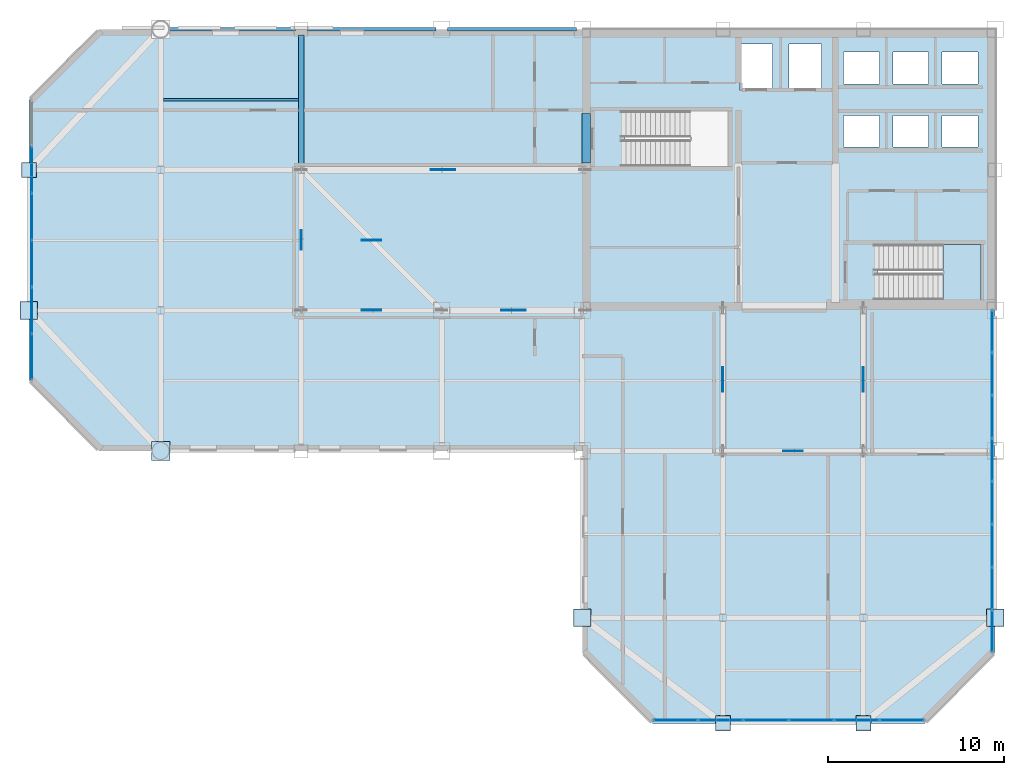
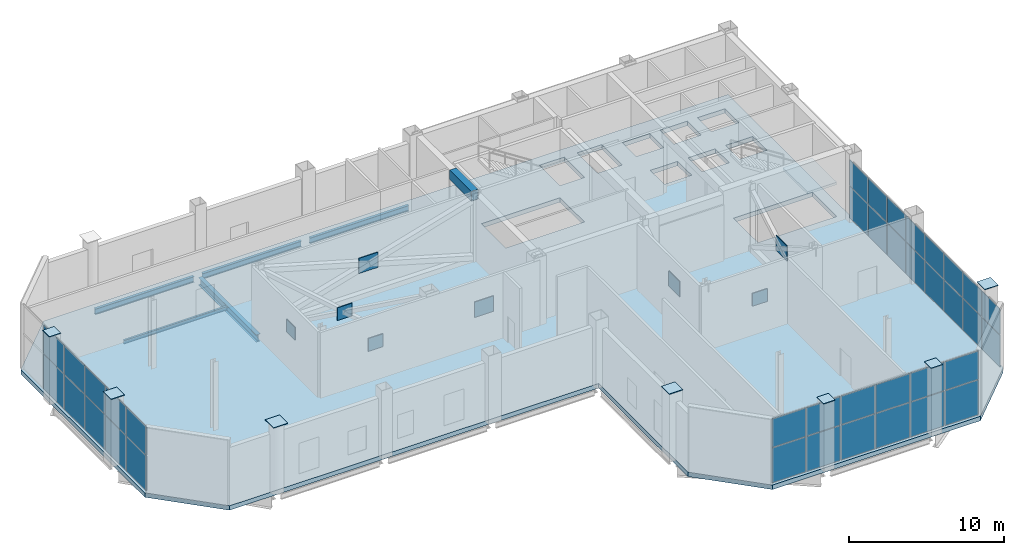
# One storey, part 16 of 23: 53 plates, 6 beams, 2 slabs, 4 elements without a shape of their own.
"""IFC4 building model written with IfcOpenShell, lengths in metres."""

from ifc_helpers import new_model, si_unit, direction, frame, origin, origin_2d, place, context, subcontext, project, spatial, polyline, rectangle, i_section, outline, extrude, material, layer, layer_set, material_profile, profile_set, type_object, element, aggregate, save


model = new_model("IFC4")

# Units and contexts
model_context = context("Model", 3, precision=1e-05, world=origin(), true_north=direction((0.0, 1.0)))
body_context = subcontext(model_context, "Body", "Model", "MODEL_VIEW")
ifc_project = project(units=[si_unit("LENGTHUNIT", "METRE"), si_unit("AREAUNIT", "SQUARE_METRE"), si_unit("VOLUMEUNIT", "CUBIC_METRE"), si_unit("PLANEANGLEUNIT", "RADIAN"), si_unit("MASSUNIT", "GRAM", prefix="KILO")], contexts=[model_context])

# Site, building, storey
site_placement = place(None, origin())
site = spatial("IfcSite", under=ifc_project, at=site_placement, CompositionType="ELEMENT")
building_placement = place(site_placement, origin())
building = spatial("IfcBuilding", under=site, at=building_placement, Name="Qianrong Seaharbour Tower", CompositionType="ELEMENT")
storey_placement = place(building_placement, frame((0.0, 0.0, 281.800048828125)))
storey = spatial("IfcBuildingStorey", under=building, at=storey_placement, Name="L68", CompositionType="ELEMENT", Elevation=281.800048828125)

# Beams
ifc_material_1 = material(Name="Structural steel SN490B", Category="steel")
ifc_material_profile_1 = material_profile(ifc_material_1, i_section(OverallWidth=0.300048828125, OverallDepth=0.587890625, WebThickness=0.011962890625, FlangeThickness=0.02001953125, FilletRadius=0.02392578125, at=origin_2d()), Name="H588x300x12x20")
ifc_profile_set_1 = profile_set([ifc_material_profile_1], Name="Structural steel SN490B")
beam_type_1 = type_object("IfcBeamType", Name="BM-G-588", PredefinedType="BEAM", material=ifc_profile_set_1)
beam_1_placement = place(storey_placement, frame((24.5, 44.199951171875, -0.64404296875), z_axis=(0.0, 1.0, 0.0), x_axis=(-1.0, 0.0, 0.0)))
element("IfcBeam", 1, at=beam_1_placement, inside=storey, type_object=beam_type_1, Name="L68 Primary Girder G4 GG-GH", PredefinedType="BEAM", context=body_context, shape_type="SweptSolid", body=[
    extrude(i_section(OverallWidth=0.300048828125, OverallDepth=0.587890625, WebThickness=0.011962890625, FlangeThickness=0.02001953125, FilletRadius=0.02392578125, at=origin_2d()), origin(), (0.0, 0.0, 1.0), 7.47998046875),
])
ifc_material_2 = material(Name="Structural steel SN400B", Category="steel")
ifc_material_profile_2 = material_profile(ifc_material_2, i_section(OverallWidth=0.14990234375, OverallDepth=0.300048828125, WebThickness=0.006591796875, FlangeThickness=0.009033203125, FilletRadius=0.012939453125, at=origin_2d()), Name="H300x150x6.5x9")
ifc_profile_set_2 = profile_set([ifc_material_profile_2], Name="Structural steel SN400B")
beam_type_2 = type_object("IfcBeamType", Name="BM-J-300", PredefinedType="JOIST", material=ifc_profile_set_2)
beam_2_placement = place(storey_placement, frame((16.64990234375, 48.0, -0.5), z_axis=(1.0, 0.0, 0.0), x_axis=(0.0, 1.0, 0.0)))
element("IfcBeam", 2, at=beam_2_placement, inside=storey, type_object=beam_type_2, Name="L68 Composite Floor Joist G3-G4/GG-GH", PredefinedType="JOIST", context=body_context, shape_type="SweptSolid", body=[
    extrude(i_section(OverallWidth=0.14990234375, OverallDepth=0.300048828125, WebThickness=0.006591796875, FlangeThickness=0.009033203125, FilletRadius=0.012939453125, at=origin_2d()), origin(), (0.0, 0.0, 1.0), 7.7001953125),
])
ifc_material_3 = material(Name="Concrete C60/75", Category="concrete")
ifc_material_profile_3 = material_profile(ifc_material_3, rectangle(XDim=0.5, YDim=0.75, at=origin_2d()), Name="RC500x750")
ifc_profile_set_3 = profile_set([ifc_material_profile_3], Name="Concrete C60/75")
beam_type_3 = type_object("IfcBeamType", Name="BM-LINTEL-750", PredefinedType="LINTEL", material=ifc_profile_set_3)
beam_3_placement = place(storey_placement, frame((40.72998046875, 44.39990234375, 4.81005859375), z_axis=(0.0, 1.0, 0.0), x_axis=(-1.0, 0.0, 0.0)))
element("IfcBeam", 3, at=beam_3_placement, inside=storey, type_object=beam_type_3, Name="L68 Core Coupling Lintel Beam West", PredefinedType="LINTEL", context=body_context, shape_type="SweptSolid", body=[
    extrude(rectangle(XDim=0.5, YDim=0.75, at=origin_2d()), origin(), (0.0, 0.0, 1.0), 2.800048828125),
])
ifc_material_profile_4 = material_profile(ifc_material_2, i_section(OverallWidth=0.199951171875, OverallDepth=0.449951171875, WebThickness=0.009033203125, FlangeThickness=0.013916015625, FilletRadius=0.01806640625, at=origin_2d()), Name="H450x200x9x14")
ifc_profile_set_4 = profile_set([ifc_material_profile_4], Name="Structural steel SN400B")
beam_type_4 = type_object("IfcBeamType", Name="BM-SP-450", PredefinedType="SPANDREL", material=ifc_profile_set_4)
for number, where, z_axis, x_axis, name in (
    (4, (16.820068359375, 52.0, -0.574951171875), (1.0, 0.0, 0.0), (0.0, 1.0, 0.0), "L68 Spandrel Girder GH G3-G4"),
    (5, (24.820068359375, 52.0, -0.574951171875), (1.0, 0.0, 0.0), (0.0, 1.0, 0.0), "L68 Spandrel Girder GH G4-G5"),
    (6, (32.820068359375, 52.0, -0.574951171875), (1.0, 0.0, 0.0), (0.0, 1.0, 0.0), "L68 Spandrel Girder GH G5-G6"),
):
    element("IfcBeam", number, at=place(storey_placement, frame(where, z_axis=z_axis, x_axis=x_axis)), inside=storey, type_object=beam_type_4, Name=name, PredefinedType="SPANDREL", context=body_context, shape_type="SweptSolid", body=[
        extrude(i_section(OverallWidth=0.199951171875, OverallDepth=0.449951171875, WebThickness=0.009033203125, FlangeThickness=0.013916015625, FilletRadius=0.01806640625, at=origin_2d()), origin(), (0.0, 0.0, 1.0), 7.35986328125),
    ])

# Curtain wall, plates
ifc_material_4 = material(Name="Anodised aluminium 6063-T6 and laminated low-e glass", Category="aluminium")
ifc_layer_1 = layer(ifc_material_4, 0.18505859375)
ifc_layer_set_1 = layer_set([ifc_layer_1], Name="Anodised aluminium 6063-T6 and laminated low-e glass")
curtain_wall_type = type_object("IfcCurtainWallType", Name="CW-SYS-4", PredefinedType="NOTDEFINED", material=ifc_layer_set_1)
curtain_wall_1_placement = place(storey_placement, origin())
curtain_wall_1 = element("IfcCurtainWall", 7, at=curtain_wall_1_placement, inside=storey, type_object=curtain_wall_type, Name="L68 Refuge Acoustic Louvre Curtain Wall WEST_TIP", PredefinedType="NOTDEFINED")
ifc_material_5 = material(Name="Anodised aluminium acoustic louvre cassette", Category="aluminium")
ifc_layer_2 = layer(ifc_material_5, 0.044921875)
ifc_layer_set_2 = layer_set([ifc_layer_2], Name="Anodised aluminium acoustic louvre cassette")
plate_type_1 = type_object("IfcPlateType", Name="CW-PAN-LOUVRE-45", PredefinedType="CURTAIN_PANEL", material=ifc_layer_set_2)
plate_1_placement = place(storey_placement, frame((9.169921875, 33.350830078125, 0.06494140625), z_axis=(0.0, 0.0, 1.0), x_axis=(0.0, 1.0, 0.0)))
plate_1 = element("IfcPlate", 8, at=plate_1_placement, type_object=plate_type_1, Name="CW-4 panel 1.1", PredefinedType="CURTAIN_PANEL", context=body_context, shape_type="SweptSolid", body=[
    extrude(rectangle(XDim=2.561767578125, YDim=0.044921875, at=origin_2d()), origin(), (0.0, 0.0, 1.0), 2.732421875),
])
plate_2_placement = place(storey_placement, frame((9.169921875, 33.350830078125, 2.8623046875), z_axis=(0.0, 0.0, 1.0), x_axis=(0.0, 1.0, 0.0)))
plate_2 = element("IfcPlate", 9, at=plate_2_placement, type_object=plate_type_1, Name="CW-4 panel 1.2", PredefinedType="CURTAIN_PANEL", context=body_context, shape_type="SweptSolid", body=[
    extrude(rectangle(XDim=2.561767578125, YDim=0.044921875, at=origin_2d()), origin(), (0.0, 0.0, 1.0), 2.2177734375),
])
plate_3_placement = place(storey_placement, frame((9.169921875, 36.0, 0.06494140625), z_axis=(0.0, 0.0, 1.0), x_axis=(0.0, 1.0, 0.0)))
plate_3 = element("IfcPlate", 10, at=plate_3_placement, type_object=plate_type_1, Name="CW-4 panel 2.1", PredefinedType="CURTAIN_PANEL", context=body_context, shape_type="SweptSolid", body=[
    extrude(rectangle(XDim=2.5966796875, YDim=0.044921875, at=origin_2d()), origin(), (0.0, 0.0, 1.0), 2.732421875),
])
plate_4_placement = place(storey_placement, frame((9.169921875, 36.0, 2.8623046875), z_axis=(0.0, 0.0, 1.0), x_axis=(0.0, 1.0, 0.0)))
plate_4 = element("IfcPlate", 11, at=plate_4_placement, type_object=plate_type_1, Name="CW-4 panel 2.2", PredefinedType="CURTAIN_PANEL", context=body_context, shape_type="SweptSolid", body=[
    extrude(rectangle(XDim=2.5966796875, YDim=0.044921875, at=origin_2d()), origin(), (0.0, 0.0, 1.0), 2.2177734375),
])
plate_5_placement = place(storey_placement, frame((9.169921875, 38.666748046875, 0.06494140625), z_axis=(0.0, 0.0, 1.0), x_axis=(0.0, 1.0, 0.0)))
plate_5 = element("IfcPlate", 12, at=plate_5_placement, type_object=plate_type_1, Name="CW-4 panel 3.1", PredefinedType="CURTAIN_PANEL", context=body_context, shape_type="SweptSolid", body=[
    extrude(rectangle(XDim=2.5966796875, YDim=0.044921875, at=origin_2d()), origin(), (0.0, 0.0, 1.0), 2.732421875),
])
plate_6_placement = place(storey_placement, frame((9.169921875, 38.666748046875, 2.8623046875), z_axis=(0.0, 0.0, 1.0), x_axis=(0.0, 1.0, 0.0)))
plate_6 = element("IfcPlate", 13, at=plate_6_placement, type_object=plate_type_1, Name="CW-4 panel 3.2", PredefinedType="CURTAIN_PANEL", context=body_context, shape_type="SweptSolid", body=[
    extrude(rectangle(XDim=2.5966796875, YDim=0.044921875, at=origin_2d()), origin(), (0.0, 0.0, 1.0), 2.2177734375),
])
plate_7_placement = place(storey_placement, frame((9.169921875, 41.333251953125, 0.06494140625), z_axis=(0.0, 0.0, 1.0), x_axis=(0.0, 1.0, 0.0)))
plate_7 = element("IfcPlate", 14, at=plate_7_placement, type_object=plate_type_1, Name="CW-4 panel 4.1", PredefinedType="CURTAIN_PANEL", context=body_context, shape_type="SweptSolid", body=[
    extrude(rectangle(XDim=2.5966796875, YDim=0.044921875, at=origin_2d()), origin(), (0.0, 0.0, 1.0), 2.732421875),
])
plate_8_placement = place(storey_placement, frame((9.169921875, 41.333251953125, 2.8623046875), z_axis=(0.0, 0.0, 1.0), x_axis=(0.0, 1.0, 0.0)))
plate_8 = element("IfcPlate", 15, at=plate_8_placement, type_object=plate_type_1, Name="CW-4 panel 4.2", PredefinedType="CURTAIN_PANEL", context=body_context, shape_type="SweptSolid", body=[
    extrude(rectangle(XDim=2.5966796875, YDim=0.044921875, at=origin_2d()), origin(), (0.0, 0.0, 1.0), 2.2177734375),
])
plate_9_placement = place(storey_placement, frame((9.169921875, 44.0, 0.06494140625), z_axis=(0.0, 0.0, 1.0), x_axis=(0.0, 1.0, 0.0)))
plate_9 = element("IfcPlate", 16, at=plate_9_placement, type_object=plate_type_1, Name="CW-4 panel 5.1", PredefinedType="CURTAIN_PANEL", context=body_context, shape_type="SweptSolid", body=[
    extrude(rectangle(XDim=2.5966796875, YDim=0.044921875, at=origin_2d()), origin(), (0.0, 0.0, 1.0), 2.732421875),
])
plate_10_placement = place(storey_placement, frame((9.169921875, 44.0, 2.8623046875), z_axis=(0.0, 0.0, 1.0), x_axis=(0.0, 1.0, 0.0)))
plate_10 = element("IfcPlate", 17, at=plate_10_placement, type_object=plate_type_1, Name="CW-4 panel 5.2", PredefinedType="CURTAIN_PANEL", context=body_context, shape_type="SweptSolid", body=[
    extrude(rectangle(XDim=2.5966796875, YDim=0.044921875, at=origin_2d()), origin(), (0.0, 0.0, 1.0), 2.2177734375),
])
aggregate(curtain_wall_1, [plate_1, plate_2, plate_3, plate_4, plate_5, plate_6, plate_7, plate_8, plate_9, plate_10])

curtain_wall_2_placement = place(storey_placement, origin())
curtain_wall_2 = element("IfcCurtainWall", 18, at=curtain_wall_2_placement, inside=storey, type_object=curtain_wall_type, Name="L68 Refuge Acoustic Louvre Curtain Wall EAST_WING", PredefinedType="NOTDEFINED")
plate_11_placement = place(storey_placement, frame((63.830078125, 34.810546875, 0.06494140625), z_axis=(0.0, 0.0, 1.0), x_axis=(0.0, -1.0, 0.0)))
plate_11 = element("IfcPlate", 19, at=plate_11_placement, type_object=plate_type_1, Name="CW-4 panel 1.1", PredefinedType="CURTAIN_PANEL", context=body_context, shape_type="SweptSolid", body=[
    extrude(rectangle(XDim=2.3388671875, YDim=0.044921875, at=origin_2d()), origin(), (0.0, 0.0, 1.0), 2.484619140625),
])
plate_12_placement = place(storey_placement, frame((63.830078125, 34.810546875, 2.61474609375), z_axis=(0.0, 0.0, 1.0), x_axis=(0.0, -1.0, 0.0)))
plate_12 = element("IfcPlate", 20, at=plate_12_placement, type_object=plate_type_1, Name="CW-4 panel 1.2", PredefinedType="CURTAIN_PANEL", context=body_context, shape_type="SweptSolid", body=[
    extrude(rectangle(XDim=2.3388671875, YDim=0.044921875, at=origin_2d()), origin(), (0.0, 0.0, 1.0), 2.015380859375),
])
plate_13_placement = place(storey_placement, frame((63.830078125, 32.38427734375, 0.06494140625), z_axis=(0.0, 0.0, 1.0), x_axis=(0.0, -1.0, 0.0)))
plate_13 = element("IfcPlate", 21, at=plate_13_placement, type_object=plate_type_1, Name="CW-4 panel 2.1", PredefinedType="CURTAIN_PANEL", context=body_context, shape_type="SweptSolid", body=[
    extrude(rectangle(XDim=2.373779296875, YDim=0.044921875, at=origin_2d()), origin(), (0.0, 0.0, 1.0), 2.484619140625),
])
plate_14_placement = place(storey_placement, frame((63.830078125, 32.38427734375, 2.61474609375), z_axis=(0.0, 0.0, 1.0), x_axis=(0.0, -1.0, 0.0)))
plate_14 = element("IfcPlate", 22, at=plate_14_placement, type_object=plate_type_1, Name="CW-4 panel 2.2", PredefinedType="CURTAIN_PANEL", context=body_context, shape_type="SweptSolid", body=[
    extrude(rectangle(XDim=2.373779296875, YDim=0.044921875, at=origin_2d()), origin(), (0.0, 0.0, 1.0), 2.015380859375),
])
plate_15_placement = place(storey_placement, frame((63.830078125, 29.940673828125, 0.06494140625), z_axis=(0.0, 0.0, 1.0), x_axis=(0.0, -1.0, 0.0)))
plate_15 = element("IfcPlate", 23, at=plate_15_placement, type_object=plate_type_1, Name="CW-4 panel 3.1", PredefinedType="CURTAIN_PANEL", context=body_context, shape_type="SweptSolid", body=[
    extrude(rectangle(XDim=2.373779296875, YDim=0.044921875, at=origin_2d()), origin(), (0.0, 0.0, 1.0), 2.484619140625),
])
plate_16_placement = place(storey_placement, frame((63.830078125, 29.940673828125, 2.61474609375), z_axis=(0.0, 0.0, 1.0), x_axis=(0.0, -1.0, 0.0)))
plate_16 = element("IfcPlate", 24, at=plate_16_placement, type_object=plate_type_1, Name="CW-4 panel 3.2", PredefinedType="CURTAIN_PANEL", context=body_context, shape_type="SweptSolid", body=[
    extrude(rectangle(XDim=2.373779296875, YDim=0.044921875, at=origin_2d()), origin(), (0.0, 0.0, 1.0), 2.015380859375),
])
plate_17_placement = place(storey_placement, frame((63.830078125, 27.496826171875, 0.06494140625), z_axis=(0.0, 0.0, 1.0), x_axis=(0.0, -1.0, 0.0)))
plate_17 = element("IfcPlate", 25, at=plate_17_placement, type_object=plate_type_1, Name="CW-4 panel 4.1", PredefinedType="CURTAIN_PANEL", context=body_context, shape_type="SweptSolid", body=[
    extrude(rectangle(XDim=2.373779296875, YDim=0.044921875, at=origin_2d()), origin(), (0.0, 0.0, 1.0), 2.484619140625),
])
plate_18_placement = place(storey_placement, frame((63.830078125, 27.496826171875, 2.61474609375), z_axis=(0.0, 0.0, 1.0), x_axis=(0.0, -1.0, 0.0)))
plate_18 = element("IfcPlate", 26, at=plate_18_placement, type_object=plate_type_1, Name="CW-4 panel 4.2", PredefinedType="CURTAIN_PANEL", context=body_context, shape_type="SweptSolid", body=[
    extrude(rectangle(XDim=2.373779296875, YDim=0.044921875, at=origin_2d()), origin(), (0.0, 0.0, 1.0), 2.015380859375),
])
plate_19_placement = place(storey_placement, frame((63.830078125, 25.05322265625, 0.06494140625), z_axis=(0.0, 0.0, 1.0), x_axis=(0.0, -1.0, 0.0)))
plate_19 = element("IfcPlate", 27, at=plate_19_placement, type_object=plate_type_1, Name="CW-4 panel 5.1", PredefinedType="CURTAIN_PANEL", context=body_context, shape_type="SweptSolid", body=[
    extrude(rectangle(XDim=2.373779296875, YDim=0.044921875, at=origin_2d()), origin(), (0.0, 0.0, 1.0), 2.484619140625),
])
plate_20_placement = place(storey_placement, frame((63.830078125, 25.05322265625, 2.61474609375), z_axis=(0.0, 0.0, 1.0), x_axis=(0.0, -1.0, 0.0)))
plate_20 = element("IfcPlate", 28, at=plate_20_placement, type_object=plate_type_1, Name="CW-4 panel 5.2", PredefinedType="CURTAIN_PANEL", context=body_context, shape_type="SweptSolid", body=[
    extrude(rectangle(XDim=2.373779296875, YDim=0.044921875, at=origin_2d()), origin(), (0.0, 0.0, 1.0), 2.015380859375),
])
plate_21_placement = place(storey_placement, frame((63.830078125, 22.609375, 0.06494140625), z_axis=(0.0, 0.0, 1.0), x_axis=(0.0, -1.0, 0.0)))
plate_21 = element("IfcPlate", 29, at=plate_21_placement, type_object=plate_type_1, Name="CW-4 panel 6.1", PredefinedType="CURTAIN_PANEL", context=body_context, shape_type="SweptSolid", body=[
    extrude(rectangle(XDim=2.373779296875, YDim=0.044921875, at=origin_2d()), origin(), (0.0, 0.0, 1.0), 2.484619140625),
])
plate_22_placement = place(storey_placement, frame((63.830078125, 22.609375, 2.61474609375), z_axis=(0.0, 0.0, 1.0), x_axis=(0.0, -1.0, 0.0)))
plate_22 = element("IfcPlate", 30, at=plate_22_placement, type_object=plate_type_1, Name="CW-4 panel 6.2", PredefinedType="CURTAIN_PANEL", context=body_context, shape_type="SweptSolid", body=[
    extrude(rectangle(XDim=2.373779296875, YDim=0.044921875, at=origin_2d()), origin(), (0.0, 0.0, 1.0), 2.015380859375),
])
plate_23_placement = place(storey_placement, frame((63.830078125, 20.16552734375, 0.06494140625), z_axis=(0.0, 0.0, 1.0), x_axis=(0.0, -1.0, 0.0)))
plate_23 = element("IfcPlate", 31, at=plate_23_placement, type_object=plate_type_1, Name="CW-4 panel 7.1", PredefinedType="CURTAIN_PANEL", context=body_context, shape_type="SweptSolid", body=[
    extrude(rectangle(XDim=2.373779296875, YDim=0.044921875, at=origin_2d()), origin(), (0.0, 0.0, 1.0), 2.484619140625),
])
plate_24_placement = place(storey_placement, frame((63.830078125, 20.16552734375, 2.61474609375), z_axis=(0.0, 0.0, 1.0), x_axis=(0.0, -1.0, 0.0)))
plate_24 = element("IfcPlate", 32, at=plate_24_placement, type_object=plate_type_1, Name="CW-4 panel 7.2", PredefinedType="CURTAIN_PANEL", context=body_context, shape_type="SweptSolid", body=[
    extrude(rectangle(XDim=2.373779296875, YDim=0.044921875, at=origin_2d()), origin(), (0.0, 0.0, 1.0), 2.015380859375),
])
plate_25_placement = place(storey_placement, frame((63.830078125, 17.7392578125, 0.06494140625), z_axis=(0.0, 0.0, 1.0), x_axis=(0.0, -1.0, 0.0)))
plate_25 = element("IfcPlate", 33, at=plate_25_placement, type_object=plate_type_1, Name="CW-4 panel 8.1", PredefinedType="CURTAIN_PANEL", context=body_context, shape_type="SweptSolid", body=[
    extrude(rectangle(XDim=2.3388671875, YDim=0.044921875, at=origin_2d()), origin(), (0.0, 0.0, 1.0), 2.484619140625),
])
plate_26_placement = place(storey_placement, frame((63.830078125, 17.7392578125, 2.61474609375), z_axis=(0.0, 0.0, 1.0), x_axis=(0.0, -1.0, 0.0)))
plate_26 = element("IfcPlate", 34, at=plate_26_placement, type_object=plate_type_1, Name="CW-4 panel 8.2", PredefinedType="CURTAIN_PANEL", context=body_context, shape_type="SweptSolid", body=[
    extrude(rectangle(XDim=2.3388671875, YDim=0.044921875, at=origin_2d()), origin(), (0.0, 0.0, 1.0), 2.015380859375),
])
aggregate(curtain_wall_2, [plate_11, plate_12, plate_13, plate_14, plate_15, plate_16, plate_17, plate_18, plate_19, plate_20, plate_21, plate_22, plate_23, plate_24, plate_25, plate_26])

curtain_wall_3_placement = place(storey_placement, origin())
curtain_wall_3 = element("IfcCurtainWall", 35, at=curtain_wall_3_placement, inside=storey, type_object=curtain_wall_type, Name="L68 Refuge Acoustic Louvre Curtain Wall SOUTH_TIP", PredefinedType="NOTDEFINED")
plate_27_placement = place(storey_placement, frame((58.69091796875, 12.669921875, 0.06494140625), z_axis=(0.0, 0.0, 1.0), x_axis=(-1.0, 0.0, 0.0)))
plate_27 = element("IfcPlate", 36, at=plate_27_placement, type_object=plate_type_1, Name="CW-4 panel 1.1", PredefinedType="CURTAIN_PANEL", context=body_context, shape_type="SweptSolid", body=[
    extrude(rectangle(XDim=2.478271484375, YDim=0.044921875, at=origin_2d()), origin(), (0.0, 0.0, 1.0), 2.732421875),
])
plate_28_placement = place(storey_placement, frame((58.69091796875, 12.669921875, 2.8623046875), z_axis=(0.0, 0.0, 1.0), x_axis=(-1.0, 0.0, 0.0)))
plate_28 = element("IfcPlate", 37, at=plate_28_placement, type_object=plate_type_1, Name="CW-4 panel 1.2", PredefinedType="CURTAIN_PANEL", context=body_context, shape_type="SweptSolid", body=[
    extrude(rectangle(XDim=2.478271484375, YDim=0.044921875, at=origin_2d()), origin(), (0.0, 0.0, 1.0), 2.2177734375),
])
plate_29_placement = place(storey_placement, frame((56.125, 12.669921875, 0.06494140625), z_axis=(0.0, 0.0, 1.0), x_axis=(-1.0, 0.0, 0.0)))
plate_29 = element("IfcPlate", 38, at=plate_29_placement, type_object=plate_type_1, Name="CW-4 panel 2.1", PredefinedType="CURTAIN_PANEL", context=body_context, shape_type="SweptSolid", body=[
    extrude(rectangle(XDim=2.513427734375, YDim=0.044921875, at=origin_2d()), origin(), (0.0, 0.0, 1.0), 2.732421875),
])
plate_30_placement = place(storey_placement, frame((56.125, 12.669921875, 2.8623046875), z_axis=(0.0, 0.0, 1.0), x_axis=(-1.0, 0.0, 0.0)))
plate_30 = element("IfcPlate", 39, at=plate_30_placement, type_object=plate_type_1, Name="CW-4 panel 2.2", PredefinedType="CURTAIN_PANEL", context=body_context, shape_type="SweptSolid", body=[
    extrude(rectangle(XDim=2.513427734375, YDim=0.044921875, at=origin_2d()), origin(), (0.0, 0.0, 1.0), 2.2177734375),
])
plate_31_placement = place(storey_placement, frame((53.541748046875, 12.669921875, 0.06494140625), z_axis=(0.0, 0.0, 1.0), x_axis=(-1.0, 0.0, 0.0)))
plate_31 = element("IfcPlate", 40, at=plate_31_placement, type_object=plate_type_1, Name="CW-4 panel 3.1", PredefinedType="CURTAIN_PANEL", context=body_context, shape_type="SweptSolid", body=[
    extrude(rectangle(XDim=2.513427734375, YDim=0.044921875, at=origin_2d()), origin(), (0.0, 0.0, 1.0), 2.732421875),
])
plate_32_placement = place(storey_placement, frame((53.541748046875, 12.669921875, 2.8623046875), z_axis=(0.0, 0.0, 1.0), x_axis=(-1.0, 0.0, 0.0)))
plate_32 = element("IfcPlate", 41, at=plate_32_placement, type_object=plate_type_1, Name="CW-4 panel 3.2", PredefinedType="CURTAIN_PANEL", context=body_context, shape_type="SweptSolid", body=[
    extrude(rectangle(XDim=2.513427734375, YDim=0.044921875, at=origin_2d()), origin(), (0.0, 0.0, 1.0), 2.2177734375),
])
plate_33_placement = place(storey_placement, frame((50.958251953125, 12.669921875, 0.06494140625), z_axis=(0.0, 0.0, 1.0), x_axis=(-1.0, 0.0, 0.0)))
plate_33 = element("IfcPlate", 42, at=plate_33_placement, type_object=plate_type_1, Name="CW-4 panel 4.1", PredefinedType="CURTAIN_PANEL", context=body_context, shape_type="SweptSolid", body=[
    extrude(rectangle(XDim=2.513427734375, YDim=0.044921875, at=origin_2d()), origin(), (0.0, 0.0, 1.0), 2.732421875),
])
plate_34_placement = place(storey_placement, frame((50.958251953125, 12.669921875, 2.8623046875), z_axis=(0.0, 0.0, 1.0), x_axis=(-1.0, 0.0, 0.0)))
plate_34 = element("IfcPlate", 43, at=plate_34_placement, type_object=plate_type_1, Name="CW-4 panel 4.2", PredefinedType="CURTAIN_PANEL", context=body_context, shape_type="SweptSolid", body=[
    extrude(rectangle(XDim=2.513427734375, YDim=0.044921875, at=origin_2d()), origin(), (0.0, 0.0, 1.0), 2.2177734375),
])
plate_35_placement = place(storey_placement, frame((48.375, 12.669921875, 0.06494140625), z_axis=(0.0, 0.0, 1.0), x_axis=(-1.0, 0.0, 0.0)))
plate_35 = element("IfcPlate", 44, at=plate_35_placement, type_object=plate_type_1, Name="CW-4 panel 5.1", PredefinedType="CURTAIN_PANEL", context=body_context, shape_type="SweptSolid", body=[
    extrude(rectangle(XDim=2.513427734375, YDim=0.044921875, at=origin_2d()), origin(), (0.0, 0.0, 1.0), 2.732421875),
])
plate_36_placement = place(storey_placement, frame((48.375, 12.669921875, 2.8623046875), z_axis=(0.0, 0.0, 1.0), x_axis=(-1.0, 0.0, 0.0)))
plate_36 = element("IfcPlate", 45, at=plate_36_placement, type_object=plate_type_1, Name="CW-4 panel 5.2", PredefinedType="CURTAIN_PANEL", context=body_context, shape_type="SweptSolid", body=[
    extrude(rectangle(XDim=2.513427734375, YDim=0.044921875, at=origin_2d()), origin(), (0.0, 0.0, 1.0), 2.2177734375),
])
plate_37_placement = place(storey_placement, frame((45.80908203125, 12.669921875, 0.06494140625), z_axis=(0.0, 0.0, 1.0), x_axis=(-1.0, 0.0, 0.0)))
plate_37 = element("IfcPlate", 46, at=plate_37_placement, type_object=plate_type_1, Name="CW-4 panel 6.1", PredefinedType="CURTAIN_PANEL", context=body_context, shape_type="SweptSolid", body=[
    extrude(rectangle(XDim=2.478271484375, YDim=0.044921875, at=origin_2d()), origin(), (0.0, 0.0, 1.0), 2.732421875),
])
plate_38_placement = place(storey_placement, frame((45.80908203125, 12.669921875, 2.8623046875), z_axis=(0.0, 0.0, 1.0), x_axis=(-1.0, 0.0, 0.0)))
plate_38 = element("IfcPlate", 47, at=plate_38_placement, type_object=plate_type_1, Name="CW-4 panel 6.2", PredefinedType="CURTAIN_PANEL", context=body_context, shape_type="SweptSolid", body=[
    extrude(rectangle(XDim=2.478271484375, YDim=0.044921875, at=origin_2d()), origin(), (0.0, 0.0, 1.0), 2.2177734375),
])
aggregate(curtain_wall_3, [plate_27, plate_28, plate_29, plate_30, plate_31, plate_32, plate_33, plate_34, plate_35, plate_36, plate_37, plate_38])

# Plates
ifc_layer_3 = layer(ifc_material_1, 0.044921875)
ifc_layer_set_3 = layer_set([ifc_layer_3], Name="Structural steel SN490B")
plate_type_2 = type_object("IfcPlateType", Name="PLT-COL-CAP-45", PredefinedType="SHEET", material=ifc_layer_set_3)
plate_39_placement = place(storey_placement, frame((9.0, 36.0, 5.37744140625), z_axis=(0.0, 0.0, 1.0), x_axis=(1.0, 0.0, 0.0)))
element("IfcPlate", 48, at=plate_39_placement, inside=storey, type_object=plate_type_2, Name="L68 Hollow Column Closure Cap Plate G2/GF", PredefinedType="SHEET", context=body_context, shape_type="SweptSolid", body=[
    extrude(rectangle(XDim=1.010009765625, YDim=1.010009765625, at=origin_2d()), origin(), (0.0, 0.0, 1.0), 0.044921875),
])
plate_40_placement = place(storey_placement, frame((9.0, 44.0, 5.37744140625), z_axis=(0.0, 0.0, 1.0), x_axis=(1.0, 0.0, 0.0)))
element("IfcPlate", 49, at=plate_40_placement, inside=storey, type_object=plate_type_2, Name="L68 Hollow Column Closure Cap Plate G2/GG", PredefinedType="SHEET", context=body_context, shape_type="SweptSolid", body=[
    extrude(rectangle(XDim=0.860107421875, YDim=0.860107421875, at=origin_2d()), origin(), (0.0, 0.0, 1.0), 0.044921875),
])
plate_41_placement = place(storey_placement, frame((16.5, 28.0, 5.37744140625), z_axis=(0.0, 0.0, 1.0), x_axis=(1.0, 0.0, 0.0)))
element("IfcPlate", 50, at=plate_41_placement, inside=storey, type_object=plate_type_2, Name="L68 Hollow Column Closure Cap Plate G3/GE", PredefinedType="SHEET", context=body_context, shape_type="SweptSolid", body=[
    extrude(rectangle(XDim=1.06005859375, YDim=1.06005859375, at=origin_2d()), origin(), (0.0, 0.0, 1.0), 0.044921875),
])
plate_42_placement = place(storey_placement, frame((40.5, 18.5, 5.37744140625), z_axis=(0.0, 0.0, 1.0), x_axis=(1.0, 0.0, 0.0)))
element("IfcPlate", 51, at=plate_42_placement, inside=storey, type_object=plate_type_2, Name="L68 Hollow Column Closure Cap Plate G6/GD", PredefinedType="SHEET", context=body_context, shape_type="SweptSolid", body=[
    extrude(rectangle(XDim=1.010009765625, YDim=1.010009765625, at=origin_2d()), origin(), (0.0, 0.0, 1.0), 0.044921875),
])
for number, where, z_axis, x_axis, name in (
    (52, (48.5, 12.5, 5.37744140625), (0.0, 0.0, 1.0), (1.0, 0.0, 0.0), "L68 Hollow Column Closure Cap Plate G7/GC"),
    (53, (56.5, 12.5, 5.37744140625), (0.0, 0.0, 1.0), (1.0, 0.0, 0.0), "L68 Hollow Column Closure Cap Plate G8/GC"),
):
    element("IfcPlate", number, at=place(storey_placement, frame(where, z_axis=z_axis, x_axis=x_axis)), inside=storey, type_object=plate_type_2, Name=name, PredefinedType="SHEET", context=body_context, shape_type="SweptSolid", body=[
        extrude(rectangle(XDim=0.860107421875, YDim=0.860107421875, at=origin_2d()), origin(), (0.0, 0.0, 1.0), 0.044921875),
    ])
plate_43_placement = place(storey_placement, frame((64.0, 18.5, 5.37744140625), z_axis=(0.0, 0.0, 1.0), x_axis=(1.0, 0.0, 0.0)))
element("IfcPlate", 54, at=plate_43_placement, inside=storey, type_object=plate_type_2, Name="L68 Hollow Column Closure Cap Plate G9/GD", PredefinedType="SHEET", context=body_context, shape_type="SweptSolid", body=[
    extrude(rectangle(XDim=1.010009765625, YDim=1.010009765625, at=origin_2d()), origin(), (0.0, 0.0, 1.0), 0.044921875),
])
ifc_layer_4 = layer(ifc_material_1, 0.050048828125)
ifc_layer_set_4 = layer_set([ifc_layer_4], Name="Structural steel SN490B")
plate_type_3 = type_object("IfcPlateType", Name="PLT-OUTRIGGER-GUSSET-50", PredefinedType="USERDEFINED", material=ifc_layer_set_4)
for number, where, z_axis, x_axis, name in (
    (55, (36.574951171875, 36.0, 1.99267578125), (0.0, 0.0, 1.0), (1.0, 0.0, 0.0), "L68 Outrigger X-Crossing Gusset Node Plate GF"),
    (56, (32.574951171875, 44.0, 1.99267578125), (0.0, 0.0, 1.0), (1.0, 0.0, 0.0), "L68 Outrigger X-Crossing Gusset Node Plate GG"),
):
    element("IfcPlate", number, at=place(storey_placement, frame(where, z_axis=z_axis, x_axis=x_axis)), inside=storey, type_object=plate_type_3, Name=name, ObjectType="GUSSET PLATE", PredefinedType="USERDEFINED", context=body_context, shape_type="SweptSolid", body=[
        extrude(rectangle(XDim=1.39990234375, YDim=0.050048828125, at=origin_2d()), origin(), (0.0, 0.0, 1.0), 1.199951171875),
    ])
for number, where, z_axis, x_axis, name in (
    (57, (48.5, 32.074951171875, 1.99267578125), (0.0, 0.0, 1.0), (1.0, 0.0, 0.0), "L68 Outrigger X-Crossing Gusset Node Plate G7"),
    (58, (56.5, 32.074951171875, 1.99267578125), (0.0, 0.0, 1.0), (1.0, 0.0, 0.0), "L68 Outrigger X-Crossing Gusset Node Plate G8"),
):
    element("IfcPlate", number, at=place(storey_placement, frame(where, z_axis=z_axis, x_axis=x_axis)), inside=storey, type_object=plate_type_3, Name=name, ObjectType="GUSSET PLATE", PredefinedType="USERDEFINED", context=body_context, shape_type="SweptSolid", body=[
        extrude(rectangle(XDim=0.050048828125, YDim=1.39990234375, at=origin_2d()), origin(), (0.0, 0.0, 1.0), 1.199951171875),
    ])
plate_44_placement = place(storey_placement, frame((28.5, 36.0, 2.092529296875), z_axis=(0.0, 0.0, 1.0), x_axis=(1.0, 0.0, 0.0)))
element("IfcPlate", 59, at=plate_44_placement, inside=storey, type_object=plate_type_3, Name="L68 Belt Truss X-Crossing Gusset Node Plate B1", ObjectType="GUSSET PLATE", PredefinedType="USERDEFINED", context=body_context, shape_type="SweptSolid", body=[
    extrude(rectangle(XDim=1.10009765625, YDim=0.050048828125, at=origin_2d()), origin(), (0.0, 0.0, 1.0), 1.0),
])
plate_45_placement = place(storey_placement, frame((24.5, 40.0, 2.092529296875), z_axis=(0.0, 0.0, 1.0), x_axis=(1.0, 0.0, 0.0)))
element("IfcPlate", 60, at=plate_45_placement, inside=storey, type_object=plate_type_3, Name="L68 Belt Truss X-Crossing Gusset Node Plate B2", ObjectType="GUSSET PLATE", PredefinedType="USERDEFINED", context=body_context, shape_type="SweptSolid", body=[
    extrude(rectangle(XDim=0.050048828125, YDim=1.10009765625, at=origin_2d()), origin(), (0.0, 0.0, 1.0), 1.0),
])
for number, where, z_axis, x_axis, name in (
    (61, (52.5, 28.0, 2.092529296875), (0.0, 0.0, 1.0), (1.0, 0.0, 0.0), "L68 Belt Truss X-Crossing Gusset Node Plate B3"),
    (62, (28.5, 40.0, 2.092529296875), (0.0, 0.0, 1.0), (1.0, 0.0, 0.0), "L68 Belt Truss X-Crossing Gusset Node Plate B4"),
):
    element("IfcPlate", number, at=place(storey_placement, frame(where, z_axis=z_axis, x_axis=x_axis)), inside=storey, type_object=plate_type_3, Name=name, ObjectType="GUSSET PLATE", PredefinedType="USERDEFINED", context=body_context, shape_type="SweptSolid", body=[
        extrude(rectangle(XDim=1.10009765625, YDim=0.050048828125, at=origin_2d()), origin(), (0.0, 0.0, 1.0), 1.0),
    ])

# Slab
ifc_material_6 = material(Name="Concrete C50/60", Category="concrete")
ifc_layer_5 = layer(ifc_material_6, 0.35009765625)
ifc_layer_set_5 = layer_set([ifc_layer_5], Name="Concrete C50/60")
slab_type_1 = type_object("IfcSlabType", Name="SLAB-REF-350", PredefinedType="FLOOR", material=ifc_layer_set_5)
slab_1_placement = place(storey_placement, frame((0.0, 0.0, -0.35009765625)))
element("IfcSlab", 63, at=slab_1_placement, inside=storey, type_object=slab_type_1, Name="L68 Structural Floor Slab", PredefinedType="FLOOR", context=body_context, shape_type="SweptSolid", body=[
    extrude(outline(polyline([(44.5, 12.5), (60.0, 12.5), (64.0, 16.5), (64.0, 52.0), (13.0, 52.0), (9.0, 48.0), (9.0, 32.0), (13.0, 28.0), (40.5, 28.0), (40.5, 16.5), (44.5, 12.5)]), holes=[polyline([(42.93994140625, 44.199951171875), (42.93994140625, 47.35009765625), (48.800048828125, 47.35009765625), (48.800048828125, 44.199951171875), (42.93994140625, 44.199951171875)]), polyline([(57.340087890625, 36.60009765625), (57.340087890625, 39.75), (63.199951171875, 39.75), (63.199951171875, 36.60009765625), (57.340087890625, 36.60009765625)]), polyline([(49.47998046875, 48.530029296875), (49.47998046875, 51.169921875), (51.320068359375, 51.169921875), (51.320068359375, 48.530029296875), (49.47998046875, 48.530029296875)]), polyline([(52.280029296875, 48.530029296875), (52.280029296875, 51.169921875), (54.1201171875, 51.169921875), (54.1201171875, 48.530029296875), (52.280029296875, 48.530029296875)]), polyline([(55.3798828125, 45.300048828125), (55.3798828125, 47.10009765625), (57.419921875, 47.10009765625), (57.419921875, 45.300048828125), (55.3798828125, 45.300048828125)]), polyline([(58.179931640625, 45.300048828125), (58.179931640625, 47.10009765625), (60.219970703125, 47.10009765625), (60.219970703125, 45.300048828125), (58.179931640625, 45.300048828125)]), polyline([(60.97998046875, 45.300048828125), (60.97998046875, 47.10009765625), (63.02001953125, 47.10009765625), (63.02001953125, 45.300048828125), (60.97998046875, 45.300048828125)]), polyline([(55.3798828125, 48.89990234375), (55.3798828125, 50.699951171875), (57.419921875, 50.699951171875), (57.419921875, 48.89990234375), (55.3798828125, 48.89990234375)]), polyline([(58.179931640625, 48.89990234375), (58.179931640625, 50.699951171875), (60.219970703125, 50.699951171875), (60.219970703125, 48.89990234375), (58.179931640625, 48.89990234375)]), polyline([(60.97998046875, 48.89990234375), (60.97998046875, 50.699951171875), (63.02001953125, 50.699951171875), (63.02001953125, 48.89990234375), (60.97998046875, 48.89990234375)])]), origin(), (0.0, 0.0, 1.0), 0.35009765625),
])

# Stair, slab
stair_type = type_object("IfcStairType", Name="STAIR-DOGLEG-1500-R30", PredefinedType="HALF_TURN_STAIR", material=ifc_material_6)
stair_placement = place(storey_placement, origin())
stair = element("IfcStair", 64, at=stair_placement, inside=storey, type_object=stair_type, Name="L68 Protected Escape Stair ST-2", PredefinedType="HALF_TURN_STAIR")
ifc_layer_6 = layer(ifc_material_6, 0.199951171875)
ifc_layer_set_6 = layer_set([ifc_layer_6], Name="Concrete C50/60")
slab_type_2 = type_object("IfcSlabType", Name="SLAB-STAIR-LANDING-200", PredefinedType="LANDING", material=ifc_layer_set_6)
slab_2_placement = place(storey_placement, frame((0.0, 0.0, 2.5)))
slab_2 = element("IfcSlab", 65, at=slab_2_placement, type_object=slab_type_2, Name="ST-2 landing 1", PredefinedType="LANDING", context=body_context, shape_type="SweptSolid", body=[
    extrude(outline(polyline([(61.02001953125, 36.60009765625), (63.199951171875, 36.60009765625), (63.199951171875, 39.75), (61.02001953125, 39.75), (61.02001953125, 36.60009765625)])), origin(), (0.0, 0.0, 1.0), 0.199951171875),
])
aggregate(stair, [slab_2])

save(model, "model.ifc")
